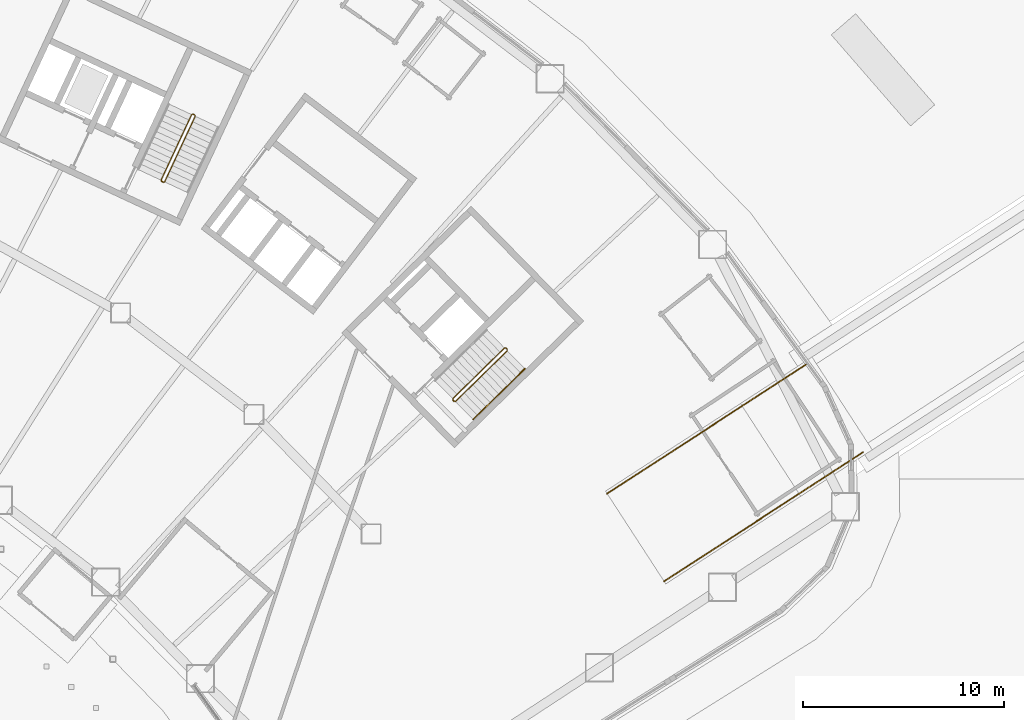
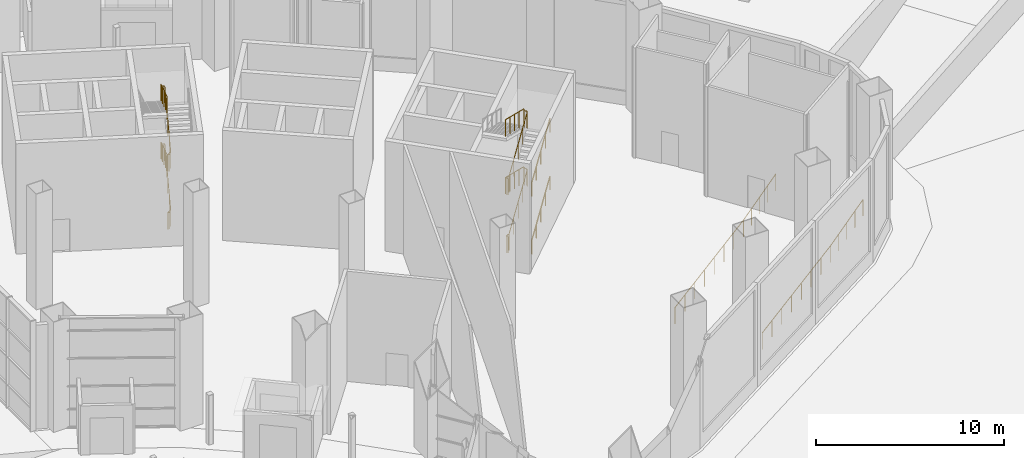
# One storey, part 41 of 45: 6 railings.
"""IFC4 building model written with IfcOpenShell, lengths in metres."""

from ifc_helpers import new_model, si_unit, direction, frame, origin, origin_2d, place, context, subcontext, project, spatial, circle, extrude, material, type_object, element, save


model = new_model("IFC4")

# Units and contexts
model_context = context("Model", 3, precision=1e-05, world=origin(), true_north=direction((0.0, 1.0)))
body_context = subcontext(model_context, "Body", "Model", "MODEL_VIEW")
ifc_project = project(units=[si_unit("LENGTHUNIT", "METRE"), si_unit("AREAUNIT", "SQUARE_METRE"), si_unit("VOLUMEUNIT", "CUBIC_METRE"), si_unit("PLANEANGLEUNIT", "RADIAN"), si_unit("MASSUNIT", "GRAM", prefix="KILO")], contexts=[model_context])

# Site, building, storey
site_placement = place(None, origin())
site = spatial("IfcSite", under=ifc_project, at=site_placement, CompositionType="ELEMENT")
building_placement = place(site_placement, origin())
building = spatial("IfcBuilding", under=site, at=building_placement, Name="Tuul Gate Civic Tower", CompositionType="ELEMENT")
storey_placement = place(building_placement, origin())
storey = spatial("IfcBuildingStorey", under=building, at=storey_placement, Name="Level 00", CompositionType="ELEMENT", Elevation=0.0)

# Railings
ifc_material_1 = material(Name="Painted steel", Category="steel")
railing_type_1 = type_object("IfcRailingType", Name="Stair guard", PredefinedType="GUARDRAIL", material=ifc_material_1)
railing_1_placement = place(storey_placement, frame((48.10546875, -16.134765625, 0.0)))
element("IfcRailing", 1, at=railing_1_placement, inside=storey, type_object=railing_type_1, Name="Level 00 ST-3 stair guard 1", PredefinedType="GUARDRAIL", context=body_context, shape_type="SweptSolid", body=[
    extrude(circle(Radius=0.02392578125, at=origin_2d()), frame((0.0, 0.0, 1.076171875), z_axis=(-0.698506948293, 0.715603272202, 0.0), x_axis=(-0.715603272202, -0.698506948293, 0.0)), (0.0, 0.0, 1.0), 0.099853515625),
    extrude(circle(Radius=0.02392578125, at=origin_2d()), frame((-0.06982421875, 0.071533203125, 1.076171875), z_axis=(0.656979275887, -0.337614350108, 0.674088111196), x_axis=(0.457068866502, 0.889431307788, 0.0)), (0.0, 0.0, 1.0), 0.214111328125),
    extrude(circle(Radius=0.02392578125, at=origin_2d()), frame((0.07080078125, -0.000732421875, 1.22021484375), z_axis=(0.643583461203, 0.630931820513, 0.433272854366), x_axis=(-0.700053104265, 0.714090786391, 0.0)), (0.0, 0.0, 1.0), 3.99462890625),
    extrude(circle(Radius=0.02392578125, at=origin_2d()), frame((2.6416015625, 2.51953125, 2.951171875), z_axis=(0.010380063588, 0.999946125689, 0.0), x_axis=(-0.999946125689, 0.010380063588, 0.0)), (0.0, 0.0, 1.0), 0.070556640625),
    extrude(circle(Radius=0.02392578125, at=origin_2d()), frame((2.642333984375, 2.590087890625, 2.951171875), z_axis=(-0.699754442181, 0.714383454909, 0.0), x_axis=(-0.714383454909, -0.699754442181, 0.0)), (0.0, 0.0, 1.0), 0.10009765625),
    extrude(circle(Radius=0.02392578125, at=origin_2d()), frame((2.572265625, 2.66162109375, 2.951171875), z_axis=(-0.439287350569, 0.004560076303, 0.898335031786), x_axis=(-0.010380063588, -0.999946125689, 0.0)), (0.0, 0.0, 1.0), 0.16064453125),
    extrude(circle(Radius=0.02392578125, at=origin_2d()), frame((2.501708984375, 2.662353515625, 3.09521484375), z_axis=(-0.643619262643, -0.630907002969, 0.433255811687), x_axis=(0.700019204355, -0.714124018315, 0.0)), (0.0, 0.0, 1.0), 3.99462890625),
    extrude(circle(Radius=0.02392578125, at=origin_2d()), frame((-0.0693359375, 0.14208984375, 4.826171875), z_axis=(0.438545321651, -0.89870907465, 0.0), x_axis=(0.89870907465, 0.438545321651, 0.0)), (0.0, 0.0, 1.0), 0.158203125),
    extrude(circle(Radius=0.02392578125, at=origin_2d()), frame((0.0, 0.0, 4.826171875), z_axis=(-0.698506948293, 0.715603272202, 0.0), x_axis=(-0.715603272202, -0.698506948293, 0.0)), (0.0, 0.0, 1.0), 0.099853515625),
    extrude(circle(Radius=0.02392578125, at=origin_2d()), frame((-0.06982421875, 0.071533203125, 4.826171875), z_axis=(0.656979275887, -0.337614350108, 0.674088111196), x_axis=(0.457068866502, 0.889431307788, 0.0)), (0.0, 0.0, 1.0), 0.214111328125),
    extrude(circle(Radius=0.02392578125, at=origin_2d()), frame((0.07080078125, -0.000732421875, 4.97021484375), z_axis=(0.643583461203, 0.630931820513, 0.433272854366), x_axis=(-0.700053104265, 0.714090786391, 0.0)), (0.0, 0.0, 1.0), 3.99462890625),
    extrude(circle(Radius=0.02392578125, at=origin_2d()), frame((2.6416015625, 2.51953125, 6.701171875), z_axis=(0.010380063588, 0.999946125689, 0.0), x_axis=(-0.999946125689, 0.010380063588, 0.0)), (0.0, 0.0, 1.0), 0.070556640625),
    extrude(circle(Radius=0.02392578125, at=origin_2d()), frame((2.642333984375, 2.590087890625, 6.701171875), z_axis=(-0.699754442181, 0.714383454909, 0.0), x_axis=(-0.714383454909, -0.699754442181, 0.0)), (0.0, 0.0, 1.0), 0.10009765625),
    extrude(circle(Radius=0.02392578125, at=origin_2d()), frame((2.572265625, 2.66162109375, 6.701171875), z_axis=(-0.439287350569, 0.004560076303, 0.898335031786), x_axis=(-0.010380063588, -0.999946125689, 0.0)), (0.0, 0.0, 1.0), 0.16064453125),
    extrude(circle(Radius=0.02392578125, at=origin_2d()), frame((2.501708984375, 2.662353515625, 6.84521484375), z_axis=(-0.643619262643, -0.630907002969, 0.433255811687), x_axis=(0.700019204355, -0.714124018315, 0.0)), (0.0, 0.0, 1.0), 3.99462890625),
    extrude(circle(Radius=0.02099609375, at=origin_2d()), origin(), (0.0, 0.0, 1.0), 1.052001953125),
    extrude(circle(Radius=0.02099609375, at=origin_2d()), frame((-0.06982421875, 0.071533203125, 0.0)), (0.0, 0.0, 1.0), 1.052001953125),
    extrude(circle(Radius=0.02099609375, at=origin_2d()), frame((0.07080078125, -0.000732421875, 0.144287109375)), (0.0, 0.0, 1.0), 1.052001953125),
    extrude(circle(Radius=0.02099609375, at=origin_2d()), frame((0.71337890625, 0.62939453125, 0.576904296875)), (0.0, 0.0, 1.0), 1.052001953125),
    extrude(circle(Radius=0.02099609375, at=origin_2d()), frame((1.356201171875, 1.25927734375, 1.009765625)), (0.0, 0.0, 1.0), 1.052001953125),
    extrude(circle(Radius=0.02099609375, at=origin_2d()), frame((1.9990234375, 1.889404296875, 1.4423828125)), (0.0, 0.0, 1.0), 1.052001953125),
    extrude(circle(Radius=0.02099609375, at=origin_2d()), frame((2.6416015625, 2.51953125, 1.875)), (0.0, 0.0, 1.0), 1.052001953125),
    extrude(circle(Radius=0.02099609375, at=origin_2d()), frame((2.642333984375, 2.590087890625, 1.875)), (0.0, 0.0, 1.0), 1.052001953125),
    extrude(circle(Radius=0.02099609375, at=origin_2d()), frame((2.572265625, 2.66162109375, 1.875)), (0.0, 0.0, 1.0), 1.052001953125),
    extrude(circle(Radius=0.02099609375, at=origin_2d()), frame((2.501708984375, 2.662353515625, 2.019287109375)), (0.0, 0.0, 1.0), 1.052001953125),
    extrude(circle(Radius=0.02099609375, at=origin_2d()), frame((1.85888671875, 2.0322265625, 2.451904296875)), (0.0, 0.0, 1.0), 1.052001953125),
    extrude(circle(Radius=0.02099609375, at=origin_2d()), frame((1.21630859375, 1.40234375, 2.884765625)), (0.0, 0.0, 1.0), 1.052001953125),
    extrude(circle(Radius=0.02099609375, at=origin_2d()), frame((0.573486328125, 0.772216796875, 3.3173828125)), (0.0, 0.0, 1.0), 1.052001953125),
    extrude(circle(Radius=0.02099609375, at=origin_2d()), frame((-0.0693359375, 0.14208984375, 3.75)), (0.0, 0.0, 1.0), 1.052001953125),
    extrude(circle(Radius=0.02099609375, at=origin_2d()), frame((0.0, 0.0, 3.75)), (0.0, 0.0, 1.0), 1.052001953125),
    extrude(circle(Radius=0.02099609375, at=origin_2d()), frame((-0.06982421875, 0.071533203125, 3.75)), (0.0, 0.0, 1.0), 1.052001953125),
    extrude(circle(Radius=0.02099609375, at=origin_2d()), frame((0.07080078125, -0.000732421875, 3.894287109375)), (0.0, 0.0, 1.0), 1.052001953125),
    extrude(circle(Radius=0.02099609375, at=origin_2d()), frame((0.71337890625, 0.62939453125, 4.326904296875)), (0.0, 0.0, 1.0), 1.052001953125),
    extrude(circle(Radius=0.02099609375, at=origin_2d()), frame((1.356201171875, 1.25927734375, 4.759765625)), (0.0, 0.0, 1.0), 1.052001953125),
    extrude(circle(Radius=0.02099609375, at=origin_2d()), frame((1.9990234375, 1.889404296875, 5.1923828125)), (0.0, 0.0, 1.0), 1.052001953125),
    extrude(circle(Radius=0.02099609375, at=origin_2d()), frame((2.6416015625, 2.51953125, 5.625)), (0.0, 0.0, 1.0), 1.052001953125),
    extrude(circle(Radius=0.02099609375, at=origin_2d()), frame((2.642333984375, 2.590087890625, 5.625)), (0.0, 0.0, 1.0), 1.052001953125),
    extrude(circle(Radius=0.02099609375, at=origin_2d()), frame((2.572265625, 2.66162109375, 5.625)), (0.0, 0.0, 1.0), 1.052001953125),
    extrude(circle(Radius=0.02099609375, at=origin_2d()), frame((2.501708984375, 2.662353515625, 5.769287109375)), (0.0, 0.0, 1.0), 1.052001953125),
    extrude(circle(Radius=0.02099609375, at=origin_2d()), frame((1.85888671875, 2.0322265625, 6.201904296875)), (0.0, 0.0, 1.0), 1.052001953125),
    extrude(circle(Radius=0.02099609375, at=origin_2d()), frame((1.21630859375, 1.40234375, 6.634765625)), (0.0, 0.0, 1.0), 1.052001953125),
    extrude(circle(Radius=0.02099609375, at=origin_2d()), frame((0.573486328125, 0.772216796875, 7.0673828125)), (0.0, 0.0, 1.0), 1.052001953125),
    extrude(circle(Radius=0.02099609375, at=origin_2d()), frame((-0.0693359375, 0.14208984375, 7.5)), (0.0, 0.0, 1.0), 1.052001953125),
])
railing_2_placement = place(storey_placement, frame((33.645751953125, -5.238525390625, 0.0)))
element("IfcRailing", 2, at=railing_2_placement, inside=storey, type_object=railing_type_1, Name="Level 00 ST-4 stair guard 1", PredefinedType="GUARDRAIL", context=body_context, shape_type="SweptSolid", body=[
    extrude(circle(Radius=0.02392578125, at=origin_2d()), frame((0.0, 0.0, 1.076171875), z_axis=(-0.906307919131, 0.422617978463, 0.0), x_axis=(-0.422617978463, -0.906307919131, 0.0)), (0.0, 0.0, 1.0), 0.099853515625),
    extrude(circle(Radius=0.02392578125, at=origin_2d()), frame((-0.090576171875, 0.042236328125, 1.076171875), z_axis=(0.733621626563, -0.084429238516, 0.674292972471), x_axis=(0.114330889033, 0.993442724979, 0.0)), (0.0, 0.0, 1.0), 0.2138671875),
    extrude(circle(Radius=0.02392578125, at=origin_2d()), frame((0.06640625, 0.024169921875, 1.22021484375), z_axis=(0.380849346253, 0.816830470762, 0.433291769473), x_axis=(-0.906326892595, 0.422577287321, 0.0)), (0.0, 0.0, 1.0), 3.994384765625),
    extrude(circle(Radius=0.02392578125, at=origin_2d()), frame((1.587646484375, 3.286865234375, 2.951171875), z_axis=(-0.342020437038, 0.939692513883, 0.0), x_axis=(-0.939692513883, -0.342020437038, 0.0)), (0.0, 0.0, 1.0), 0.070556640625),
    extrude(circle(Radius=0.02392578125, at=origin_2d()), frame((1.5634765625, 3.353271484375, 2.951171875), z_axis=(-0.906307919131, 0.422617978463, 0.0), x_axis=(-0.422617978463, -0.906307919131, 0.0)), (0.0, 0.0, 1.0), 0.099853515625),
    extrude(circle(Radius=0.02392578125, at=origin_2d()), frame((1.472900390625, 3.3955078125, 2.951171875), z_axis=(-0.41332517636, -0.150438207572, 0.89807051187), x_axis=(0.342020437038, -0.939692513883, 0.0)), (0.0, 0.0, 1.0), 0.16064453125),
    extrude(circle(Radius=0.02392578125, at=origin_2d()), frame((1.406494140625, 3.371337890625, 3.09521484375), z_axis=(-0.380849346253, -0.816830470762, 0.433291769473), x_axis=(0.906326892595, -0.422577287321, 0.0)), (0.0, 0.0, 1.0), 3.994384765625),
    extrude(circle(Radius=0.02392578125, at=origin_2d()), frame((-0.11474609375, 0.108642578125, 4.826171875), z_axis=(0.726155646563, -0.687530346214, 0.0), x_axis=(0.687530346214, 0.726155646563, 0.0)), (0.0, 0.0, 1.0), 0.157958984375),
    extrude(circle(Radius=0.02392578125, at=origin_2d()), frame((0.0, 0.0, 4.826171875), z_axis=(-0.906307919131, 0.422617978463, 0.0), x_axis=(-0.422617978463, -0.906307919131, 0.0)), (0.0, 0.0, 1.0), 0.099853515625),
    extrude(circle(Radius=0.02392578125, at=origin_2d()), frame((-0.090576171875, 0.042236328125, 4.826171875), z_axis=(0.733621626563, -0.084429238516, 0.674292972471), x_axis=(0.114330889033, 0.993442724979, 0.0)), (0.0, 0.0, 1.0), 0.2138671875),
    extrude(circle(Radius=0.02392578125, at=origin_2d()), frame((0.06640625, 0.024169921875, 4.97021484375), z_axis=(0.380849346253, 0.816830470762, 0.433291769473), x_axis=(-0.906326892595, 0.422577287321, 0.0)), (0.0, 0.0, 1.0), 3.994384765625),
    extrude(circle(Radius=0.02392578125, at=origin_2d()), frame((1.587646484375, 3.286865234375, 6.701171875), z_axis=(-0.342020437038, 0.939692513883, 0.0), x_axis=(-0.939692513883, -0.342020437038, 0.0)), (0.0, 0.0, 1.0), 0.070556640625),
    extrude(circle(Radius=0.02392578125, at=origin_2d()), frame((1.5634765625, 3.353271484375, 6.701171875), z_axis=(-0.906307919131, 0.422617978463, 0.0), x_axis=(-0.422617978463, -0.906307919131, 0.0)), (0.0, 0.0, 1.0), 0.099853515625),
    extrude(circle(Radius=0.02392578125, at=origin_2d()), frame((1.472900390625, 3.3955078125, 6.701171875), z_axis=(-0.41332517636, -0.150438207572, 0.89807051187), x_axis=(0.342020437038, -0.939692513883, 0.0)), (0.0, 0.0, 1.0), 0.16064453125),
    extrude(circle(Radius=0.02392578125, at=origin_2d()), frame((1.406494140625, 3.371337890625, 6.84521484375), z_axis=(-0.380849346253, -0.816830470762, 0.433291769473), x_axis=(0.906326892595, -0.422577287321, 0.0)), (0.0, 0.0, 1.0), 3.994384765625),
    extrude(circle(Radius=0.02099609375, at=origin_2d()), origin(), (0.0, 0.0, 1.0), 1.052001953125),
    extrude(circle(Radius=0.02099609375, at=origin_2d()), frame((-0.090576171875, 0.042236328125, 0.0)), (0.0, 0.0, 1.0), 1.052001953125),
    extrude(circle(Radius=0.02099609375, at=origin_2d()), frame((0.06640625, 0.024169921875, 0.144287109375)), (0.0, 0.0, 1.0), 1.052001953125),
    extrude(circle(Radius=0.02099609375, at=origin_2d()), frame((0.44677734375, 0.83984375, 0.576904296875)), (0.0, 0.0, 1.0), 1.052001953125),
    extrude(circle(Radius=0.02099609375, at=origin_2d()), frame((0.8271484375, 1.655517578125, 1.009765625)), (0.0, 0.0, 1.0), 1.052001953125),
    extrude(circle(Radius=0.02099609375, at=origin_2d()), frame((1.207275390625, 2.47119140625, 1.4423828125)), (0.0, 0.0, 1.0), 1.052001953125),
    extrude(circle(Radius=0.02099609375, at=origin_2d()), frame((1.587646484375, 3.286865234375, 1.875)), (0.0, 0.0, 1.0), 1.052001953125),
    extrude(circle(Radius=0.02099609375, at=origin_2d()), frame((1.5634765625, 3.353271484375, 1.875)), (0.0, 0.0, 1.0), 1.052001953125),
    extrude(circle(Radius=0.02099609375, at=origin_2d()), frame((1.472900390625, 3.3955078125, 1.875)), (0.0, 0.0, 1.0), 1.052001953125),
    extrude(circle(Radius=0.02099609375, at=origin_2d()), frame((1.406494140625, 3.371337890625, 2.019287109375)), (0.0, 0.0, 1.0), 1.052001953125),
    extrude(circle(Radius=0.02099609375, at=origin_2d()), frame((1.026123046875, 2.5556640625, 2.451904296875)), (0.0, 0.0, 1.0), 1.052001953125),
    extrude(circle(Radius=0.02099609375, at=origin_2d()), frame((0.64599609375, 1.739990234375, 2.884765625)), (0.0, 0.0, 1.0), 1.052001953125),
    extrude(circle(Radius=0.02099609375, at=origin_2d()), frame((0.265625, 0.92431640625, 3.3173828125)), (0.0, 0.0, 1.0), 1.052001953125),
    extrude(circle(Radius=0.02099609375, at=origin_2d()), frame((-0.11474609375, 0.108642578125, 3.75)), (0.0, 0.0, 1.0), 1.052001953125),
    extrude(circle(Radius=0.02099609375, at=origin_2d()), frame((0.0, 0.0, 3.75)), (0.0, 0.0, 1.0), 1.052001953125),
    extrude(circle(Radius=0.02099609375, at=origin_2d()), frame((-0.090576171875, 0.042236328125, 3.75)), (0.0, 0.0, 1.0), 1.052001953125),
    extrude(circle(Radius=0.02099609375, at=origin_2d()), frame((0.06640625, 0.024169921875, 3.894287109375)), (0.0, 0.0, 1.0), 1.052001953125),
    extrude(circle(Radius=0.02099609375, at=origin_2d()), frame((0.44677734375, 0.83984375, 4.326904296875)), (0.0, 0.0, 1.0), 1.052001953125),
    extrude(circle(Radius=0.02099609375, at=origin_2d()), frame((0.8271484375, 1.655517578125, 4.759765625)), (0.0, 0.0, 1.0), 1.052001953125),
    extrude(circle(Radius=0.02099609375, at=origin_2d()), frame((1.207275390625, 2.47119140625, 5.1923828125)), (0.0, 0.0, 1.0), 1.052001953125),
    extrude(circle(Radius=0.02099609375, at=origin_2d()), frame((1.587646484375, 3.286865234375, 5.625)), (0.0, 0.0, 1.0), 1.052001953125),
    extrude(circle(Radius=0.02099609375, at=origin_2d()), frame((1.5634765625, 3.353271484375, 5.625)), (0.0, 0.0, 1.0), 1.052001953125),
    extrude(circle(Radius=0.02099609375, at=origin_2d()), frame((1.472900390625, 3.3955078125, 5.625)), (0.0, 0.0, 1.0), 1.052001953125),
    extrude(circle(Radius=0.02099609375, at=origin_2d()), frame((1.406494140625, 3.371337890625, 5.769287109375)), (0.0, 0.0, 1.0), 1.052001953125),
    extrude(circle(Radius=0.02099609375, at=origin_2d()), frame((1.026123046875, 2.5556640625, 6.201904296875)), (0.0, 0.0, 1.0), 1.052001953125),
    extrude(circle(Radius=0.02099609375, at=origin_2d()), frame((0.64599609375, 1.739990234375, 6.634765625)), (0.0, 0.0, 1.0), 1.052001953125),
    extrude(circle(Radius=0.02099609375, at=origin_2d()), frame((0.265625, 0.92431640625, 7.0673828125)), (0.0, 0.0, 1.0), 1.052001953125),
    extrude(circle(Radius=0.02099609375, at=origin_2d()), frame((-0.11474609375, 0.108642578125, 7.5)), (0.0, 0.0, 1.0), 1.052001953125),
])
ifc_material_2 = material(Name="Painted steel", Category="steel")
railing_type_2 = type_object("IfcRailingType", Name="Stair handrail", PredefinedType="HANDRAIL", material=ifc_material_2)
for number, where, name in (
    (3, (49.05126953125, -17.028076171875, 0.144287109375), "Level 00 ST-3 stair handrail 1"),
    (4, (49.05126953125, -17.028076171875, 3.894287109375), "Level 00 ST-3 stair handrail 3"),
):
    element("IfcRailing", number, at=place(storey_placement, frame(where)), inside=storey, type_object=railing_type_2, Name=name, PredefinedType="HANDRAIL", context=body_context, shape_type="SweptSolid", body=[
        extrude(circle(Radius=0.02392578125, at=origin_2d()), frame((0.0, 0.0, 0.8759765625), z_axis=(0.643608279267, 0.630895029306, 0.433289562367), x_axis=(-0.700018521251, 0.714124687926, 0.0)), (0.0, 0.0, 1.0), 3.994384765625),
        extrude(circle(Radius=0.02099609375, at=origin_2d()), origin(), (0.0, 0.0, 1.0), 0.851806640625),
        extrude(circle(Radius=0.02099609375, at=origin_2d()), frame((0.642578125, 0.6298828125, 0.4326171875)), (0.0, 0.0, 1.0), 0.851806640625),
        extrude(circle(Radius=0.02099609375, at=origin_2d()), frame((1.285400390625, 1.260009765625, 0.865234375)), (0.0, 0.0, 1.0), 0.851806640625),
        extrude(circle(Radius=0.02099609375, at=origin_2d()), frame((1.92822265625, 1.89013671875, 1.298095703125)), (0.0, 0.0, 1.0), 0.851806640625),
        extrude(circle(Radius=0.02099609375, at=origin_2d()), frame((2.57080078125, 2.52001953125, 1.730712890625)), (0.0, 0.0, 1.0), 0.851806640625),
    ])
ifc_material_3 = material(Name="Stainless steel", Category="steel")
railing_type_3 = type_object("IfcRailingType", Name="Terrace guard", PredefinedType="GUARDRAIL", material=ifc_material_3)
railing_3_placement = place(storey_placement, frame((68.437744140625, -18.65625, -3.20166015625)))
element("IfcRailing", 5, at=railing_3_placement, inside=storey, type_object=railing_type_3, Name="Guard", PredefinedType="GUARDRAIL", context=body_context, shape_type="SweptSolid", body=[
    extrude(circle(Radius=0.02392578125, at=origin_2d()), frame((0.0, 0.0, 1.076171875), z_axis=(-0.827271353935, -0.537218072006, -0.164374116177), x_axis=(0.54462603796, -0.838679008189, 0.0)), (0.0, 0.0, 1.0), 3.84228515625),
    extrude(circle(Radius=0.02392578125, at=origin_2d()), frame((-3.1787109375, -2.064208984375, 0.4443359375), z_axis=(-0.835777881926, -0.542749247875, -0.083057726995), x_axis=(0.544631091221, -0.838675726652, 0.0)), (0.0, 0.0, 1.0), 8.027587890625),
    extrude(circle(Radius=0.02099609375, at=origin_2d()), origin(), (0.0, 0.0, 1.0), 1.052001953125),
    extrude(circle(Radius=0.02099609375, at=origin_2d()), frame((-0.794677734375, -0.51611328125, -0.157958984375)), (0.0, 0.0, 1.0), 1.052001953125),
    extrude(circle(Radius=0.02099609375, at=origin_2d()), frame((-1.58935546875, -1.0322265625, -0.31591796875)), (0.0, 0.0, 1.0), 1.052001953125),
    extrude(circle(Radius=0.02099609375, at=origin_2d()), frame((-2.384033203125, -1.548095703125, -0.4736328125)), (0.0, 0.0, 1.0), 1.052001953125),
    extrude(circle(Radius=0.02099609375, at=origin_2d()), frame((-3.1787109375, -2.064208984375, -0.631591796875)), (0.0, 0.0, 1.0), 1.052001953125),
    extrude(circle(Radius=0.02099609375, at=origin_2d()), frame((-4.13720703125, -2.6865234375, -0.726806640625)), (0.0, 0.0, 1.0), 1.052001953125),
    extrude(circle(Radius=0.02099609375, at=origin_2d()), frame((-5.095703125, -3.30908203125, -0.822021484375)), (0.0, 0.0, 1.0), 1.052001953125),
    extrude(circle(Radius=0.02099609375, at=origin_2d()), frame((-6.05419921875, -3.931396484375, -0.917236328125)), (0.0, 0.0, 1.0), 1.052001953125),
    extrude(circle(Radius=0.02099609375, at=origin_2d()), frame((-7.012451171875, -4.553955078125, -1.0126953125)), (0.0, 0.0, 1.0), 1.052001953125),
    extrude(circle(Radius=0.02099609375, at=origin_2d()), frame((-7.970947265625, -5.17626953125, -1.10791015625)), (0.0, 0.0, 1.0), 1.052001953125),
    extrude(circle(Radius=0.02099609375, at=origin_2d()), frame((-8.929443359375, -5.798828125, -1.203125)), (0.0, 0.0, 1.0), 1.052001953125),
    extrude(circle(Radius=0.02099609375, at=origin_2d()), frame((-9.887939453125, -6.421142578125, -1.29833984375)), (0.0, 0.0, 1.0), 1.052001953125),
])
railing_4_placement = place(storey_placement, frame((65.60546875, -14.295166015625, -3.20166015625)))
element("IfcRailing", 6, at=railing_4_placement, inside=storey, type_object=railing_type_3, Name="Guard", PredefinedType="GUARDRAIL", context=body_context, shape_type="SweptSolid", body=[
    extrude(circle(Radius=0.02392578125, at=origin_2d()), frame((0.0, 0.0, 1.076171875), z_axis=(-0.827251298196, -0.537246311257, -0.16438275662), x_axis=(0.544655461673, -0.83865990012, 0.0)), (0.0, 0.0, 1.0), 3.84228515625),
    extrude(circle(Radius=0.02392578125, at=origin_2d()), frame((-3.178466796875, -2.064208984375, 0.4443359375), z_axis=(-0.835787050327, -0.542735452301, -0.083055615837), x_axis=(0.544617151654, -0.83868477876, 0.0)), (0.0, 0.0, 1.0), 8.02783203125),
    extrude(circle(Radius=0.02099609375, at=origin_2d()), origin(), (0.0, 0.0, 1.0), 1.052001953125),
    extrude(circle(Radius=0.02099609375, at=origin_2d()), frame((-0.794677734375, -0.51611328125, -0.157958984375)), (0.0, 0.0, 1.0), 1.052001953125),
    extrude(circle(Radius=0.02099609375, at=origin_2d()), frame((-1.58935546875, -1.0322265625, -0.31591796875)), (0.0, 0.0, 1.0), 1.052001953125),
    extrude(circle(Radius=0.02099609375, at=origin_2d()), frame((-2.3837890625, -1.548095703125, -0.4736328125)), (0.0, 0.0, 1.0), 1.052001953125),
    extrude(circle(Radius=0.02099609375, at=origin_2d()), frame((-3.178466796875, -2.064208984375, -0.631591796875)), (0.0, 0.0, 1.0), 1.052001953125),
    extrude(circle(Radius=0.02099609375, at=origin_2d()), frame((-4.136962890625, -2.6865234375, -0.726806640625)), (0.0, 0.0, 1.0), 1.052001953125),
    extrude(circle(Radius=0.02099609375, at=origin_2d()), frame((-5.095458984375, -3.30908203125, -0.822021484375)), (0.0, 0.0, 1.0), 1.052001953125),
    extrude(circle(Radius=0.02099609375, at=origin_2d()), frame((-6.053955078125, -3.931396484375, -0.917236328125)), (0.0, 0.0, 1.0), 1.052001953125),
    extrude(circle(Radius=0.02099609375, at=origin_2d()), frame((-7.012451171875, -4.553955078125, -1.0126953125)), (0.0, 0.0, 1.0), 1.052001953125),
    extrude(circle(Radius=0.02099609375, at=origin_2d()), frame((-7.970947265625, -5.17626953125, -1.10791015625)), (0.0, 0.0, 1.0), 1.052001953125),
    extrude(circle(Radius=0.02099609375, at=origin_2d()), frame((-8.929443359375, -5.798828125, -1.203125)), (0.0, 0.0, 1.0), 1.052001953125),
    extrude(circle(Radius=0.02099609375, at=origin_2d()), frame((-9.887939453125, -6.421142578125, -1.29833984375)), (0.0, 0.0, 1.0), 1.052001953125),
])

save(model, "model.ifc")
